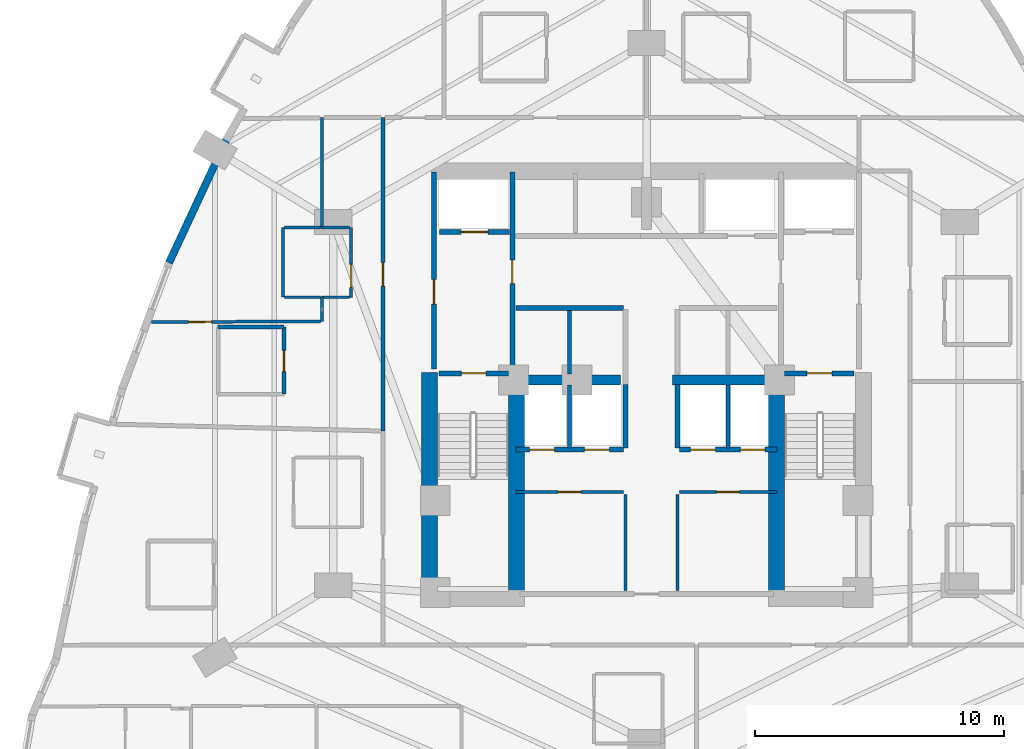
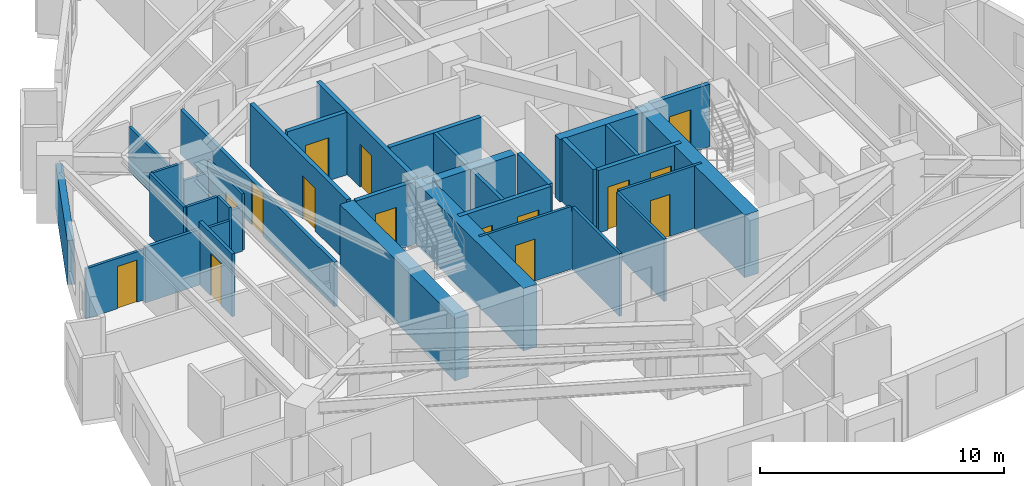
# One storey, part 10 of 15: 35 walls, 15 doors, 15 openings.
"""IFC4 building model written with IfcOpenShell, lengths in metres."""

from ifc_helpers import new_model, si_unit, direction, frame, frame_2d, origin, place, context, subcontext, project, spatial, rectangle, extrude, material, layer, layer_set, type_object, element, fill, save


model = new_model("IFC4")

# Units and contexts
model_context = context("Model", 3, precision=1e-05, world=origin(), true_north=direction((0.0, 1.0)))
body_context = subcontext(model_context, "Body", "Model", "MODEL_VIEW")
ifc_project = project(units=[si_unit("LENGTHUNIT", "METRE"), si_unit("AREAUNIT", "SQUARE_METRE"), si_unit("VOLUMEUNIT", "CUBIC_METRE"), si_unit("PLANEANGLEUNIT", "RADIAN"), si_unit("MASSUNIT", "GRAM", prefix="KILO")], contexts=[model_context])

# Site, building, storey
site_placement = place(None, origin())
site = spatial("IfcSite", under=ifc_project, at=site_placement, CompositionType="ELEMENT")
building_placement = place(site_placement, origin())
building = spatial("IfcBuilding", under=site, at=building_placement, Name="Miruveldt Soraemaru", CompositionType="ELEMENT")
storey_placement = place(building_placement, frame((0.0, 0.0, 32.60009765625)))
storey = spatial("IfcBuildingStorey", under=building, at=storey_placement, Name="L08", CompositionType="ELEMENT", Elevation=32.60009765625)

# Walls
ifc_material_1 = material(Name="Concrete C70/85 (70 MPa)", Category="concrete")
ifc_layer_1 = layer(ifc_material_1, 0.5, Name="Concrete C70/85 (70 MPa)", Category="concrete")
ifc_layer_set_1 = layer_set([ifc_layer_1], Name="Concrete C70/85 (70 MPa)")
wall_type_1 = type_object("IfcWallType", Name="WALL-BW-500", PredefinedType="SHEAR", material=ifc_layer_set_1)
for number, where, z_axis, x_axis, name in (
    (1, (38.75, 44.050048828125, 0.0), (0.0, 0.0, 1.0), (1.0, 0.0, 0.0), "L08 Core Buttress Shear Wall BW"),
    (2, (45.050048828125, 44.050048828125, 0.0), (0.0, 0.0, 1.0), (1.0, 0.0, 0.0), "L08 Core Buttress Shear Wall BE"),
):
    element("IfcWall", number, at=place(storey_placement, frame(where, z_axis=z_axis, x_axis=x_axis)), inside=storey, type_object=wall_type_1, Name=name, PredefinedType="SHEAR", context=body_context, shape_type="SweptSolid", body=[
        extrude(rectangle(XDim=4.199951171875, YDim=0.39990234375, at=frame_2d((2.10009765625, 0.0))), origin(), (0.0, 0.0, 1.0), 3.125),
    ])
ifc_material_2 = material(Name="Concrete C80/95 (80 MPa)", Category="concrete")
ifc_layer_2 = layer(ifc_material_2, 0.64990234375, Name="Concrete C80/95 (80 MPa)", Category="concrete")
ifc_layer_set_2 = layer_set([ifc_layer_2], Name="Concrete C80/95 (80 MPa)")
wall_type_2 = type_object("IfcWallType", Name="WALL-CW-650", PredefinedType="SHEAR", material=ifc_layer_set_2)
wall_1_placement = place(storey_placement, frame((35.27490234375, 34.949951171875, 0.0), z_axis=(0.0, 0.0, 1.0), x_axis=(0.0, 1.0, 0.0)))
element("IfcWall", 3, at=wall_1_placement, inside=storey, type_object=wall_type_2, Name="L08 Central Core Shear Wall W1", PredefinedType="SHEAR", context=body_context, shape_type="SweptSolid", body=[
    extrude(rectangle(XDim=9.400146484375, YDim=0.64990234375, at=frame_2d((4.7001953125, 0.0))), origin(), (0.0, 0.0, 1.0), 3.125),
])
for number, where, z_axis, x_axis, name in (
    (4, (38.77490234375, 35.39990234375, 0.0), (0.0, 0.0, 1.0), (0.0, 1.0, 0.0), "L08 Central Core Shear Wall SW-INT"),
    (5, (49.22509765625, 35.39990234375, 0.0), (0.0, 0.0, 1.0), (0.0, 1.0, 0.0), "L08 Central Core Shear Wall SE-INT"),
):
    element("IfcWall", number, at=place(storey_placement, frame(where, z_axis=z_axis, x_axis=x_axis)), inside=storey, type_object=wall_type_2, Name=name, PredefinedType="SHEAR", context=body_context, shape_type="SweptSolid", body=[
        extrude(rectangle(XDim=8.9501953125, YDim=0.64990234375, at=frame_2d((4.47509765625, 0.0))), origin(), (0.0, 0.0, 1.0), 3.125),
    ])
ifc_material_3 = material(Name="Precast concrete C45/55 (45 MPa)", Category="concrete")
ifc_layer_3 = layer(ifc_material_3, 0.300048828125, Name="Precast concrete C45/55 (45 MPa)", Category="concrete")
ifc_layer_set_3 = layer_set([ifc_layer_3], Name="Precast concrete C45/55 (45 MPa)")
wall_type_3 = type_object("IfcWallType", Name="WALL-EXT-PC300", PredefinedType="SOLIDWALL", material=ifc_layer_set_3)
wall_2_placement = place(storey_placement, frame((27.116455078125, 53.75390625, 0.0), z_axis=(0.0, 0.0, 1.0), x_axis=(-0.422309467153, -0.906451716284, 0.0)))
element("IfcWall", 6, at=wall_2_placement, inside=storey, type_object=wall_type_3, Name="L08 Precast Concrete Facade Wall 11", PredefinedType="SOLIDWALL", context=body_context, shape_type="SweptSolid", body=[
    extrude(rectangle(XDim=5.500244140625, YDim=0.300048828125, at=frame_2d((2.75, 0.0))), origin(), (0.0, 0.0, 1.0), 2.212890625),
])

# Wall, opening, door
ifc_material_4 = material(Name="Gypsum plasterboard lining", Category="gypsum")
ifc_layer_4 = layer(ifc_material_4, 0.1201171875, Name="Gypsum plasterboard lining", Category="gypsum")
ifc_layer_set_4 = layer_set([ifc_layer_4], Name="Gypsum plasterboard lining")
wall_type_4 = type_object("IfcWallType", Name="WALL-INT-P120", PredefinedType="PARTITIONING", material=ifc_layer_set_4)
wall_3_placement = place(storey_placement, frame((30.889892578125, 46.409912109375, 0.0), z_axis=(0.0, 0.0, 1.0), x_axis=(-0.999990269006, -0.004411563541, 0.0)))
wall_3 = element("IfcWall", 7, at=wall_3_placement, inside=storey, type_object=wall_type_4, Name="L08 Partition Wall 50", PredefinedType="PARTITIONING", context=body_context, shape_type="SweptSolid", body=[
    extrude(rectangle(XDim=6.806884765625, YDim=0.1201171875, at=frame_2d((3.4033203125, 0.0))), origin(), (0.0, 0.0, 1.0), 2.512939453125),
])
opening_1_placement = place(wall_3_placement, frame((4.384033203125, 0.0, 0.0)))
opening_1 = element("IfcOpeningElement", 8, at=opening_1_placement, cuts=wall_3, Name="Opening D3A", PredefinedType="OPENING", context=body_context, shape_type="SweptSolid", body=[
    extrude(rectangle(XDim=0.919921875, YDim=2.10009765625, at=frame_2d((0.4599609375, 1.050048828125))), frame((0.0, 0.070068359375, 0.0), z_axis=(0.0, -1.0, 0.0), x_axis=(1.0, 0.0, 0.0)), (0.0, 0.0, 1.0), 0.14013671875),
])
ifc_material_5 = material(Name="Anodised aluminium EN AW-6063 T6", Category="aluminium")
door_type_1 = type_object("IfcDoorType", Name="DOOR-INT-920", OperationType="NOTDEFINED", PredefinedType="DOOR", material=ifc_material_5)
door_1_placement = place(opening_1_placement, origin())
door_1 = element("IfcDoor", 9, at=door_1_placement, inside=storey, type_object=door_type_1, Name="L08 Unit 0804 BD1 Door", OperationType="SINGLE_SWING_LEFT", OverallHeight=2.10009765625, OverallWidth=0.919921875, PredefinedType="DOOR", context=body_context, shape_type="SweptSolid", body=[
    extrude(rectangle(XDim=0.919921875, YDim=2.10009765625, at=frame_2d((0.4599609375, 1.050048828125))), frame((0.0, 0.02490234375, 0.0), z_axis=(0.0, -1.0, 0.0), x_axis=(1.0, 0.0, 0.0)), (0.0, 0.0, 1.0), 0.050048828125),
])
fill(opening_1, door_1)

wall_4_placement = place(storey_placement, frame((38.75, 39.550048828125, 0.0), z_axis=(0.0, 0.0, 1.0), x_axis=(1.0, 0.0, 0.0)))
wall_4 = element("IfcWall", 10, at=wall_4_placement, inside=storey, type_object=wall_type_4, Name="L08 Core Compartment Wall CSW-N", PredefinedType="PARTITIONING", context=body_context, shape_type="SweptSolid", body=[
    extrude(rectangle(XDim=4.330078125, YDim=0.1201171875, at=frame_2d((2.1650390625, 0.0))), origin(), (0.0, 0.0, 1.0), 3.125),
])
opening_2_placement = place(wall_4_placement, frame((1.68994140625, 0.0, 0.0)))
opening_2 = element("IfcOpeningElement", 11, at=opening_2_placement, cuts=wall_4, Name="Opening D3A", PredefinedType="OPENING", context=body_context, shape_type="SweptSolid", body=[
    extrude(rectangle(XDim=0.919921875, YDim=2.10009765625, at=frame_2d((0.4599609375, 1.050048828125))), frame((0.0, 0.070068359375, 0.0), z_axis=(0.0, -1.0, 0.0), x_axis=(1.0, 0.0, 0.0)), (0.0, 0.0, 1.0), 0.14013671875),
])
door_2_placement = place(opening_2_placement, origin())
door_2 = element("IfcDoor", 12, at=door_2_placement, inside=storey, type_object=door_type_1, Name="L08 Fire Door", OperationType="SINGLE_SWING_LEFT", OverallHeight=2.10009765625, OverallWidth=0.919921875, PredefinedType="DOOR", context=body_context, shape_type="SweptSolid", body=[
    extrude(rectangle(XDim=0.919921875, YDim=2.10009765625, at=frame_2d((0.4599609375, 1.050048828125))), frame((0.0, 0.02490234375, 0.0), z_axis=(0.0, -1.0, 0.0), x_axis=(1.0, 0.0, 0.0)), (0.0, 0.0, 1.0), 0.050048828125),
])
fill(opening_2, door_2)

wall_5_placement = place(storey_placement, frame((45.320068359375, 39.550048828125, 0.0), z_axis=(0.0, 0.0, 1.0), x_axis=(1.0, 0.0, 0.0)))
wall_5 = element("IfcWall", 13, at=wall_5_placement, inside=storey, type_object=wall_type_4, Name="L08 Core Compartment Wall CSE-N", PredefinedType="PARTITIONING", context=body_context, shape_type="SweptSolid", body=[
    extrude(rectangle(XDim=3.929931640625, YDim=0.1201171875, at=frame_2d((1.96484375, 0.0))), origin(), (0.0, 0.0, 1.0), 3.125),
])
opening_3_placement = place(wall_5_placement, frame((1.489990234375, 0.0, 0.0)))
opening_3 = element("IfcOpeningElement", 14, at=opening_3_placement, cuts=wall_5, Name="Opening D3A", PredefinedType="OPENING", context=body_context, shape_type="SweptSolid", body=[
    extrude(rectangle(XDim=0.919921875, YDim=2.10009765625, at=frame_2d((0.4599609375, 1.050048828125))), frame((0.0, 0.070068359375, 0.0), z_axis=(0.0, -1.0, 0.0), x_axis=(1.0, 0.0, 0.0)), (0.0, 0.0, 1.0), 0.14013671875),
])
door_3_placement = place(opening_3_placement, origin())
door_3 = element("IfcDoor", 15, at=door_3_placement, inside=storey, type_object=door_type_1, Name="L08 Fire Door", OperationType="SINGLE_SWING_LEFT", OverallHeight=2.10009765625, OverallWidth=0.919921875, PredefinedType="DOOR", context=body_context, shape_type="SweptSolid", body=[
    extrude(rectangle(XDim=0.919921875, YDim=2.10009765625, at=frame_2d((0.4599609375, 1.050048828125))), frame((0.0, 0.02490234375, 0.0), z_axis=(0.0, -1.0, 0.0), x_axis=(1.0, 0.0, 0.0)), (0.0, 0.0, 1.0), 0.050048828125),
])
fill(opening_3, door_3)

wall_6_placement = place(storey_placement, frame((32.1220703125, 47.3798828125, 0.0), z_axis=(0.0, 0.0, 1.0), x_axis=(0.0, 1.0, 0.0)))
wall_6 = element("IfcWall", 16, at=wall_6_placement, inside=storey, type_object=wall_type_4, Name="L08 Partition Wall 45", PredefinedType="PARTITIONING", context=body_context, shape_type="SweptSolid", body=[
    extrude(rectangle(XDim=2.800048828125, YDim=0.1201171875, at=frame_2d((1.39990234375, 0.0))), origin(), (0.0, 0.0, 1.0), 2.81298828125),
])
opening_4_placement = place(wall_6_placement, frame((0.39990234375, 0.0, 0.0)))
opening_4 = element("IfcOpeningElement", 17, at=opening_4_placement, cuts=wall_6, Name="Opening D3A", PredefinedType="OPENING", context=body_context, shape_type="SweptSolid", body=[
    extrude(rectangle(XDim=0.919921875, YDim=2.10009765625, at=frame_2d((0.4599609375, 1.050048828125))), frame((0.0, 0.070068359375, 0.0), z_axis=(0.0, -1.0, 0.0), x_axis=(1.0, 0.0, 0.0)), (0.0, 0.0, 1.0), 0.14013671875),
])
door_4_placement = place(opening_4_placement, origin())
door_4 = element("IfcDoor", 18, at=door_4_placement, inside=storey, type_object=door_type_1, Name="L08 Unit 0804 KIT Door", OperationType="SINGLE_SWING_RIGHT", OverallHeight=2.10009765625, OverallWidth=0.919921875, PredefinedType="DOOR", context=body_context, shape_type="SweptSolid", body=[
    extrude(rectangle(XDim=0.919921875, YDim=2.10009765625, at=frame_2d((0.4599609375, 1.050048828125))), frame((0.0, 0.02490234375, 0.0), z_axis=(0.0, -1.0, 0.0), x_axis=(1.0, 0.0, 0.0)), (0.0, 0.0, 1.0), 0.050048828125),
])
fill(opening_4, door_4)

# Walls
wall_7_placement = place(storey_placement, frame((30.949951171875, 54.60009765625, 0.0), z_axis=(0.0, 0.0, 1.0), x_axis=(0.0, -1.0, 0.0)))
element("IfcWall", 19, at=wall_7_placement, inside=storey, type_object=wall_type_4, Name="L08 Partition Wall 48", PredefinedType="PARTITIONING", context=body_context, shape_type="SweptSolid", body=[
    extrude(rectangle(XDim=4.420166015625, YDim=0.1201171875, at=frame_2d((2.2099609375, 0.0))), origin(), (0.0, 0.0, 1.0), 2.219970703125),
])
for number, where, z_axis, x_axis, name in (
    (20, (43.14990234375, 35.580078125, 0.0), (0.0, 0.0, 1.0), (0.0, 1.0, 0.0), "L08 Core Compartment Wall SP-WS"),
    (21, (45.25, 35.580078125, 0.0), (0.0, 0.0, 1.0), (0.0, 1.0, 0.0), "L08 Core Compartment Wall SP-ES"),
):
    element("IfcWall", number, at=place(storey_placement, frame(where, z_axis=z_axis, x_axis=x_axis)), inside=storey, type_object=wall_type_4, Name=name, PredefinedType="PARTITIONING", context=body_context, shape_type="SweptSolid", body=[
        extrude(rectangle(XDim=3.869873046875, YDim=0.1201171875, at=frame_2d((1.93505859375, 0.0))), origin(), (0.0, 0.0, 1.0), 3.125),
    ])
wall_8_placement = place(storey_placement, frame((29.3720703125, 50.179931640625, 0.0), z_axis=(0.0, 0.0, 1.0), x_axis=(0.0, -1.0, 0.0)))
element("IfcWall", 22, at=wall_8_placement, inside=storey, type_object=wall_type_4, Name="L08 Partition Wall 53", PredefinedType="PARTITIONING", context=body_context, shape_type="SweptSolid", body=[
    extrude(rectangle(XDim=2.800048828125, YDim=0.1201171875, at=frame_2d((1.39990234375, 0.0))), origin(), (0.0, 0.0, 1.0), 3.125),
])
for number, where, z_axis, x_axis, name in (
    (23, (30.889892578125, 50.179931640625, 0.0), (0.0, 0.0, 1.0), (-1.0, 0.0, 0.0), "L08 Partition Wall 52"),
    (24, (29.431884765625, 47.3798828125, 0.0), (0.0, 0.0, 1.0), (1.0, 0.0, 0.0), "L08 Partition Wall 54"),
):
    element("IfcWall", number, at=place(storey_placement, frame(where, z_axis=z_axis, x_axis=x_axis)), inside=storey, type_object=wall_type_4, Name=name, PredefinedType="PARTITIONING", context=body_context, shape_type="SweptSolid", body=[
        extrude(rectangle(XDim=1.4580078125, YDim=0.1201171875, at=frame_2d((0.72900390625, 0.0))), origin(), (0.0, 0.0, 1.0), 3.125),
    ])
for number, where, z_axis, x_axis, name in (
    (25, (32.06201171875, 50.179931640625, 0.0), (0.0, 0.0, 1.0), (-1.0, 0.0, 0.0), "L08 Partition Wall 46"),
    (26, (30.919921875, 47.3798828125, 0.0), (0.0, 0.0, 1.0), (1.0, 0.0, 0.0), "L08 Partition Wall 47"),
):
    element("IfcWall", number, at=place(storey_placement, frame(where, z_axis=z_axis, x_axis=x_axis)), inside=storey, type_object=wall_type_4, Name=name, PredefinedType="PARTITIONING", context=body_context, shape_type="SweptSolid", body=[
        extrude(rectangle(XDim=1.14208984375, YDim=0.1201171875, at=frame_2d((0.571044921875, 0.0))), origin(), (0.0, 0.0, 1.0), 2.219970703125),
    ])
wall_9_placement = place(storey_placement, frame((30.949951171875, 47.3798828125, 0.0), z_axis=(0.0, 0.0, 1.0), x_axis=(0.0, -1.0, 0.0)))
element("IfcWall", 27, at=wall_9_placement, inside=storey, type_object=wall_type_4, Name="L08 Partition Wall 49", PredefinedType="PARTITIONING", context=body_context, shape_type="SweptSolid", body=[
    extrude(rectangle(XDim=0.969970703125, YDim=0.1201171875, at=frame_2d((0.48486328125, 0.0))), origin(), (0.0, 0.0, 1.0), 3.125),
])

# Wall, opening, door
ifc_layer_5 = layer(ifc_material_4, 0.14990234375, Name="Gypsum plasterboard lining", Category="gypsum")
ifc_layer_set_5 = layer_set([ifc_layer_5], Name="Gypsum plasterboard lining")
wall_type_5 = type_object("IfcWallType", Name="WALL-INT-PLUMB", PredefinedType="PLUMBINGWALL", material=ifc_layer_set_5)
wall_10_placement = place(storey_placement, frame((29.422119140625, 43.47998046875, 0.0), z_axis=(0.0, 0.0, 1.0), x_axis=(0.0, 1.0, 0.0)))
wall_10 = element("IfcWall", 28, at=wall_10_placement, inside=storey, type_object=wall_type_5, Name="L08 Partition Wall 41", PredefinedType="PLUMBINGWALL", context=body_context, shape_type="SweptSolid", body=[
    extrude(rectangle(XDim=2.699951171875, YDim=0.14990234375, at=frame_2d((1.35009765625, 0.0))), origin(), (0.0, 0.0, 1.0), 3.125),
])
opening_5_placement = place(wall_10_placement, frame((0.909912109375, 0.0, 0.0)))
opening_5 = element("IfcOpeningElement", 29, at=opening_5_placement, cuts=wall_10, Name="Opening FD3", PredefinedType="OPENING", context=body_context, shape_type="SweptSolid", body=[
    extrude(rectangle(XDim=0.85009765625, YDim=2.10009765625, at=frame_2d((0.425048828125, 1.050048828125))), frame((0.0, 0.0849609375, 0.0), z_axis=(0.0, -1.0, 0.0), x_axis=(1.0, 0.0, 0.0)), (0.0, 0.0, 1.0), 0.169921875),
])
door_type_2 = type_object("IfcDoorType", Name="DOOR-FD3-850", OperationType="NOTDEFINED", PredefinedType="DOOR", material=ifc_material_5)
door_5_placement = place(opening_5_placement, origin())
door_5 = element("IfcDoor", 30, at=door_5_placement, inside=storey, type_object=door_type_2, Name="L08 Unit 0804 BTH Door", OperationType="SINGLE_SWING_LEFT", OverallHeight=2.10009765625, OverallWidth=0.85009765625, PredefinedType="DOOR", context=body_context, shape_type="SweptSolid", body=[
    extrude(rectangle(XDim=0.85009765625, YDim=2.10009765625, at=frame_2d((0.425048828125, 1.050048828125))), frame((0.0, 0.02490234375, 0.0), z_axis=(0.0, -1.0, 0.0), x_axis=(1.0, 0.0, 0.0)), (0.0, 0.0, 1.0), 0.050048828125),
])
fill(opening_5, door_5)

# Wall
wall_11_placement = place(storey_placement, frame((29.422119140625, 46.179931640625, 0.0), z_axis=(0.0, 0.0, 1.0), x_axis=(-1.0, 0.0, 0.0)))
element("IfcWall", 31, at=wall_11_placement, inside=storey, type_object=wall_type_5, Name="L08 Partition Wall 42", PredefinedType="PLUMBINGWALL", context=body_context, shape_type="SweptSolid", body=[
    extrude(rectangle(XDim=2.650146484375, YDim=0.14990234375, at=frame_2d((1.3251953125, 0.0))), origin(), (0.0, 0.0, 1.0), 2.762939453125),
])

# Wall, opening, door
ifc_material_6 = material(Name="Concrete C40/50 (40 MPa)", Category="concrete")
ifc_layer_6 = layer(ifc_material_6, 0.159912109375, Name="Concrete C40/50 (40 MPa)", Category="concrete")
ifc_layer_set_6 = layer_set([ifc_layer_6], Name="Concrete C40/50 (40 MPa)")
wall_type_6 = type_object("IfcWallType", Name="WALL-INT-RC160", PredefinedType="SOLIDWALL", material=ifc_layer_set_6)
wall_12_placement = place(storey_placement, frame((33.39990234375, 54.60009765625, 0.0), z_axis=(0.0, 0.0, 1.0), x_axis=(0.0, -1.0, 0.0)))
wall_12 = element("IfcWall", 32, at=wall_12_placement, inside=storey, type_object=wall_type_6, Name="L08 Partition Wall 4", PredefinedType="SOLIDWALL", context=body_context, shape_type="SweptSolid", body=[
    extrude(rectangle(XDim=12.60009765625, YDim=0.159912109375, at=frame_2d((6.300048828125, 0.0))), origin(), (0.0, 0.0, 1.0), 2.219970703125),
])
opening_6_placement = place(wall_12_placement, frame((5.824951171875, 0.0, 0.0)))
opening_6 = element("IfcOpeningElement", 33, at=opening_6_placement, cuts=wall_12, Name="Opening FD2", PredefinedType="OPENING", context=body_context, shape_type="SweptSolid", body=[
    extrude(rectangle(XDim=0.949951171875, YDim=2.14990234375, at=frame_2d((0.47509765625, 1.074951171875))), frame((0.0, 0.08984375, 0.0), z_axis=(0.0, -1.0, 0.0), x_axis=(1.0, 0.0, 0.0)), (0.0, 0.0, 1.0), 0.179931640625),
])
door_type_3 = type_object("IfcDoorType", Name="DOOR-FD2-950", OperationType="NOTDEFINED", PredefinedType="DOOR", material=ifc_material_5)
door_6_placement = place(opening_6_placement, origin())
door_6 = element("IfcDoor", 34, at=door_6_placement, inside=storey, type_object=door_type_3, Name="L08 Unit 0804 Entrance Fire Door", OperationType="SINGLE_SWING_RIGHT", OverallHeight=2.14990234375, OverallWidth=0.949951171875, PredefinedType="DOOR", context=body_context, shape_type="SweptSolid", body=[
    extrude(rectangle(XDim=0.949951171875, YDim=2.14990234375, at=frame_2d((0.47509765625, 1.074951171875))), frame((0.0, 0.02490234375, 0.0), z_axis=(0.0, -1.0, 0.0), x_axis=(1.0, 0.0, 0.0)), (0.0, 0.0, 1.0), 0.050048828125),
])
fill(opening_6, door_6)

# Walls
wall_13_placement = place(storey_placement, frame((40.89990234375, 44.300048828125, 0.0), z_axis=(0.0, 0.0, 1.0), x_axis=(0.0, 1.0, 0.0)))
element("IfcWall", 35, at=wall_13_placement, inside=storey, type_object=wall_type_6, Name="L08 Core Compartment Wall PLM-DW", PredefinedType="SOLIDWALL", context=body_context, shape_type="SweptSolid", body=[
    extrude(rectangle(XDim=2.550048828125, YDim=0.159912109375, at=frame_2d((1.27490234375, 0.0))), origin(), (0.0, 0.0, 1.0), 3.125),
])
for number, where, z_axis, x_axis, name in (
    (36, (40.89990234375, 41.320068359375, 0.0), (0.0, 0.0, 1.0), (0.0, 1.0, 0.0), "L08 Core Compartment Wall PLL-DW"),
    (37, (47.280029296875, 41.320068359375, 0.0), (0.0, 0.0, 1.0), (0.0, 1.0, 0.0), "L08 Core Compartment Wall PLL-DE"),
):
    element("IfcWall", number, at=place(storey_placement, frame(where, z_axis=z_axis, x_axis=x_axis)), inside=storey, type_object=wall_type_6, Name=name, PredefinedType="SOLIDWALL", context=body_context, shape_type="SweptSolid", body=[
        extrude(rectangle(XDim=2.530029296875, YDim=0.159912109375, at=frame_2d((1.26513671875, 0.0))), origin(), (0.0, 0.0, 1.0), 3.125),
    ])

# Wall, opening, door
ifc_layer_7 = layer(ifc_material_6, 0.199951171875, Name="Concrete C40/50 (40 MPa)", Category="concrete")
ifc_layer_set_7 = layer_set([ifc_layer_7], Name="Concrete C40/50 (40 MPa)")
wall_type_7 = type_object("IfcWallType", Name="WALL-INT-RC200", PredefinedType="SOLIDWALL", material=ifc_layer_set_7)
wall_14_placement = place(storey_placement, frame((35.449951171875, 44.5, 0.0), z_axis=(0.0, 0.0, 1.0), x_axis=(0.0, 1.0, 0.0)))
wall_14 = element("IfcWall", 38, at=wall_14_placement, inside=storey, type_object=wall_type_7, Name="L08 Core Compartment Wall FFW-OUT", PredefinedType="SOLIDWALL", context=body_context, shape_type="SweptSolid", body=[
    extrude(rectangle(XDim=7.919921875, YDim=0.199951171875, at=frame_2d((3.9599609375, 0.0))), origin(), (0.0, 0.0, 1.0), 3.125),
])
opening_7_placement = place(wall_14_placement, frame((2.60009765625, 0.0, 0.0)))
opening_7 = element("IfcOpeningElement", 39, at=opening_7_placement, cuts=wall_14, Name="Opening FD1", PredefinedType="OPENING", context=body_context, shape_type="SweptSolid", body=[
    extrude(rectangle(XDim=1.0, YDim=2.14990234375, at=frame_2d((0.5, 1.074951171875))), frame((0.0, 0.10986328125, 0.0), z_axis=(0.0, -1.0, 0.0), x_axis=(1.0, 0.0, 0.0)), (0.0, 0.0, 1.0), 0.219970703125),
])
door_type_4 = type_object("IfcDoorType", Name="DOOR-FD1-1000", OperationType="NOTDEFINED", PredefinedType="DOOR", material=ifc_material_5)
door_7_placement = place(opening_7_placement, origin())
door_7 = element("IfcDoor", 40, at=door_7_placement, inside=storey, type_object=door_type_4, Name="L08 West Firefighting Lobby Exit Door", OperationType="SINGLE_SWING_LEFT", OverallHeight=2.14990234375, OverallWidth=1.0, PredefinedType="DOOR", context=body_context, shape_type="SweptSolid", body=[
    extrude(rectangle(XDim=1.0, YDim=2.14990234375, at=frame_2d((0.5, 1.074951171875))), frame((0.0, 0.02490234375, 0.0), z_axis=(0.0, -1.0, 0.0), x_axis=(1.0, 0.0, 0.0)), (0.0, 0.0, 1.0), 0.050048828125),
])
fill(opening_7, door_7)

wall_15_placement = place(storey_placement, frame((38.60009765625, 44.5, 0.0), z_axis=(0.0, 0.0, 1.0), x_axis=(0.0, 1.0, 0.0)))
wall_15 = element("IfcWall", 41, at=wall_15_placement, inside=storey, type_object=wall_type_7, Name="L08 Core Compartment Wall FFW-IN", PredefinedType="SOLIDWALL", context=body_context, shape_type="SweptSolid", body=[
    extrude(rectangle(XDim=7.919921875, YDim=0.199951171875, at=frame_2d((3.9599609375, 0.0))), origin(), (0.0, 0.0, 1.0), 3.125),
])
opening_8_placement = place(wall_15_placement, frame((3.425048828125, 0.0, 0.0)))
opening_8 = element("IfcOpeningElement", 42, at=opening_8_placement, cuts=wall_15, Name="Opening FD2", PredefinedType="OPENING", context=body_context, shape_type="SweptSolid", body=[
    extrude(rectangle(XDim=0.949951171875, YDim=2.14990234375, at=frame_2d((0.47509765625, 1.074951171875))), frame((0.0, 0.10986328125, 0.0), z_axis=(0.0, -1.0, 0.0), x_axis=(1.0, 0.0, 0.0)), (0.0, 0.0, 1.0), 0.219970703125),
])
door_8_placement = place(opening_8_placement, frame((0.949951171875, 0.0, 0.0), z_axis=(0.0, 0.0, 1.0), x_axis=(-1.0, 0.0, 0.0)))
door_8 = element("IfcDoor", 43, at=door_8_placement, inside=storey, type_object=door_type_3, Name="L08 Lift Lobby to West Fire Lobby Door", OperationType="SINGLE_SWING_RIGHT", OverallHeight=2.14990234375, OverallWidth=0.949951171875, PredefinedType="DOOR", context=body_context, shape_type="SweptSolid", body=[
    extrude(rectangle(XDim=0.949951171875, YDim=2.14990234375, at=frame_2d((0.47509765625, 1.074951171875))), frame((0.0, 0.02490234375, 0.0), z_axis=(0.0, -1.0, 0.0), x_axis=(1.0, 0.0, 0.0)), (0.0, 0.0, 1.0), 0.050048828125),
])
fill(opening_8, door_8)

# Wall, openings, doors
wall_16_placement = place(storey_placement, frame((38.75, 41.25, 0.0), z_axis=(0.0, 0.0, 1.0), x_axis=(1.0, 0.0, 0.0)))
wall_16 = element("IfcWall", 44, at=wall_16_placement, inside=storey, type_object=wall_type_7, Name="L08 Core Compartment Wall LBW-S", PredefinedType="SOLIDWALL", context=body_context, shape_type="SweptSolid", body=[
    extrude(rectangle(XDim=4.330078125, YDim=0.199951171875, at=frame_2d((2.1650390625, 0.0))), origin(), (0.0, 0.0, 1.0), 3.125),
])
opening_9_placement = place(wall_16_placement, frame((0.550048828125, 0.0, 0.0)))
opening_9 = element("IfcOpeningElement", 45, at=opening_9_placement, cuts=wall_16, Name="Opening LD1B", PredefinedType="OPENING", context=body_context, shape_type="SweptSolid", body=[
    extrude(rectangle(XDim=1.0, YDim=2.14990234375, at=frame_2d((0.5, 1.074951171875))), frame((0.0, 0.10986328125, 0.0), z_axis=(0.0, -1.0, 0.0), x_axis=(1.0, 0.0, 0.0)), (0.0, 0.0, 1.0), 0.219970703125),
])
opening_10_placement = place(wall_16_placement, frame((2.75, 0.0, 0.0)))
opening_10 = element("IfcOpeningElement", 46, at=opening_10_placement, cuts=wall_16, Name="Opening LD1B", PredefinedType="OPENING", context=body_context, shape_type="SweptSolid", body=[
    extrude(rectangle(XDim=1.0, YDim=2.14990234375, at=frame_2d((0.5, 1.074951171875))), frame((0.0, 0.10986328125, 0.0), z_axis=(0.0, -1.0, 0.0), x_axis=(1.0, 0.0, 0.0)), (0.0, 0.0, 1.0), 0.219970703125),
])
door_type_5 = type_object("IfcDoorType", Name="DOOR-LD1-1000", OperationType="SLIDING_TO_LEFT", PredefinedType="DOOR", material=ifc_material_5)
door_9_placement = place(opening_9_placement, frame((1.0, 0.0, 0.0), z_axis=(0.0, 0.0, 1.0), x_axis=(-1.0, 0.0, 0.0)))
door_9 = element("IfcDoor", 47, at=door_9_placement, inside=storey, type_object=door_type_5, Name="L08 PL-L1 Landing Door", OperationType="SLIDING_TO_LEFT", OverallHeight=2.14990234375, OverallWidth=1.0, PredefinedType="DOOR", context=body_context, shape_type="SweptSolid", body=[
    extrude(rectangle(XDim=1.0, YDim=2.14990234375, at=frame_2d((0.5, 1.074951171875))), frame((0.0, 0.02490234375, 0.0), z_axis=(0.0, -1.0, 0.0), x_axis=(1.0, 0.0, 0.0)), (0.0, 0.0, 1.0), 0.050048828125),
])
fill(opening_9, door_9)
door_10_placement = place(opening_10_placement, frame((1.0, 0.0, 0.0), z_axis=(0.0, 0.0, 1.0), x_axis=(-1.0, 0.0, 0.0)))
door_10 = element("IfcDoor", 48, at=door_10_placement, inside=storey, type_object=door_type_5, Name="L08 PL-L2 Landing Door", OperationType="SLIDING_TO_LEFT", OverallHeight=2.14990234375, OverallWidth=1.0, PredefinedType="DOOR", context=body_context, shape_type="SweptSolid", body=[
    extrude(rectangle(XDim=1.0, YDim=2.14990234375, at=frame_2d((0.5, 1.074951171875))), frame((0.0, 0.02490234375, 0.0), z_axis=(0.0, -1.0, 0.0), x_axis=(1.0, 0.0, 0.0)), (0.0, 0.0, 1.0), 0.050048828125),
])
fill(opening_10, door_10)

wall_17_placement = place(storey_placement, frame((45.320068359375, 41.25, 0.0), z_axis=(0.0, 0.0, 1.0), x_axis=(1.0, 0.0, 0.0)))
wall_17 = element("IfcWall", 49, at=wall_17_placement, inside=storey, type_object=wall_type_7, Name="L08 Core Compartment Wall LBE-S", PredefinedType="SOLIDWALL", context=body_context, shape_type="SweptSolid", body=[
    extrude(rectangle(XDim=3.929931640625, YDim=0.199951171875, at=frame_2d((1.96484375, 0.0))), origin(), (0.0, 0.0, 1.0), 3.125),
])
opening_11_placement = place(wall_17_placement, frame((0.449951171875, 0.0, 0.0)))
opening_11 = element("IfcOpeningElement", 50, at=opening_11_placement, cuts=wall_17, Name="Opening LD1B", PredefinedType="OPENING", context=body_context, shape_type="SweptSolid", body=[
    extrude(rectangle(XDim=1.0, YDim=2.14990234375, at=frame_2d((0.5, 1.074951171875))), frame((0.0, 0.10986328125, 0.0), z_axis=(0.0, -1.0, 0.0), x_axis=(1.0, 0.0, 0.0)), (0.0, 0.0, 1.0), 0.219970703125),
])
opening_12_placement = place(wall_17_placement, frame((2.449951171875, 0.0, 0.0)))
opening_12 = element("IfcOpeningElement", 51, at=opening_12_placement, cuts=wall_17, Name="Opening LD1B", PredefinedType="OPENING", context=body_context, shape_type="SweptSolid", body=[
    extrude(rectangle(XDim=1.0, YDim=2.14990234375, at=frame_2d((0.5, 1.074951171875))), frame((0.0, 0.10986328125, 0.0), z_axis=(0.0, -1.0, 0.0), x_axis=(1.0, 0.0, 0.0)), (0.0, 0.0, 1.0), 0.219970703125),
])
door_11_placement = place(opening_11_placement, frame((1.0, 0.0, 0.0), z_axis=(0.0, 0.0, 1.0), x_axis=(-1.0, 0.0, 0.0)))
door_11 = element("IfcDoor", 52, at=door_11_placement, inside=storey, type_object=door_type_5, Name="L08 PL-L3 Landing Door", OperationType="SLIDING_TO_LEFT", OverallHeight=2.14990234375, OverallWidth=1.0, PredefinedType="DOOR", context=body_context, shape_type="SweptSolid", body=[
    extrude(rectangle(XDim=1.0, YDim=2.14990234375, at=frame_2d((0.5, 1.074951171875))), frame((0.0, 0.02490234375, 0.0), z_axis=(0.0, -1.0, 0.0), x_axis=(1.0, 0.0, 0.0)), (0.0, 0.0, 1.0), 0.050048828125),
])
fill(opening_11, door_11)
door_12_placement = place(opening_12_placement, frame((1.0, 0.0, 0.0), z_axis=(0.0, 0.0, 1.0), x_axis=(-1.0, 0.0, 0.0)))
door_12 = element("IfcDoor", 53, at=door_12_placement, inside=storey, type_object=door_type_5, Name="L08 PL-L4 Landing Door", OperationType="SLIDING_TO_LEFT", OverallHeight=2.14990234375, OverallWidth=1.0, PredefinedType="DOOR", context=body_context, shape_type="SweptSolid", body=[
    extrude(rectangle(XDim=1.0, YDim=2.14990234375, at=frame_2d((0.5, 1.074951171875))), frame((0.0, 0.02490234375, 0.0), z_axis=(0.0, -1.0, 0.0), x_axis=(1.0, 0.0, 0.0)), (0.0, 0.0, 1.0), 0.050048828125),
])
fill(opening_12, door_12)

# Wall, opening, door
wall_18_placement = place(storey_placement, frame((35.64990234375, 44.320068359375, 0.0), z_axis=(0.0, 0.0, 1.0), x_axis=(1.0, 0.0, 0.0)))
wall_18 = element("IfcWall", 54, at=wall_18_placement, inside=storey, type_object=wall_type_7, Name="L08 Core Compartment Wall ST1-N", PredefinedType="SOLIDWALL", context=body_context, shape_type="SweptSolid", body=[
    extrude(rectangle(XDim=2.800048828125, YDim=0.199951171875, at=frame_2d((1.39990234375, 0.0))), origin(), (0.0, 0.0, 1.0), 3.125),
])
opening_13_placement = place(wall_18_placement, frame((0.89990234375, 0.0, 0.0)))
opening_13 = element("IfcOpeningElement", 55, at=opening_13_placement, cuts=wall_18, Name="Opening FD1", PredefinedType="OPENING", context=body_context, shape_type="SweptSolid", body=[
    extrude(rectangle(XDim=1.0, YDim=2.14990234375, at=frame_2d((0.5, 1.074951171875))), frame((0.0, 0.10986328125, 0.0), z_axis=(0.0, -1.0, 0.0), x_axis=(1.0, 0.0, 0.0)), (0.0, 0.0, 1.0), 0.219970703125),
])
door_13_placement = place(opening_13_placement, frame((1.0, 0.0, 0.0), z_axis=(0.0, 0.0, 1.0), x_axis=(-1.0, 0.0, 0.0)))
door_13 = element("IfcDoor", 56, at=door_13_placement, inside=storey, type_object=door_type_4, Name="L08 Stair ST-1 Fire Door", OperationType="SINGLE_SWING_LEFT", OverallHeight=2.14990234375, OverallWidth=1.0, PredefinedType="DOOR", context=body_context, shape_type="SweptSolid", body=[
    extrude(rectangle(XDim=1.0, YDim=2.14990234375, at=frame_2d((0.5, 1.074951171875))), frame((0.0, 0.02490234375, 0.0), z_axis=(0.0, -1.0, 0.0), x_axis=(1.0, 0.0, 0.0)), (0.0, 0.0, 1.0), 0.050048828125),
])
fill(opening_13, door_13)

wall_19_placement = place(storey_placement, frame((49.550048828125, 44.320068359375, 0.0), z_axis=(0.0, 0.0, 1.0), x_axis=(1.0, 0.0, 0.0)))
wall_19 = element("IfcWall", 57, at=wall_19_placement, inside=storey, type_object=wall_type_7, Name="L08 Core Compartment Wall ST2-N", PredefinedType="SOLIDWALL", context=body_context, shape_type="SweptSolid", body=[
    extrude(rectangle(XDim=2.800048828125, YDim=0.199951171875, at=frame_2d((1.39990234375, 0.0))), origin(), (0.0, 0.0, 1.0), 3.125),
])
opening_14_placement = place(wall_19_placement, frame((0.89990234375, 0.0, 0.0)))
opening_14 = element("IfcOpeningElement", 58, at=opening_14_placement, cuts=wall_19, Name="Opening FD1", PredefinedType="OPENING", context=body_context, shape_type="SweptSolid", body=[
    extrude(rectangle(XDim=1.0, YDim=2.14990234375, at=frame_2d((0.5, 1.074951171875))), frame((0.0, 0.10986328125, 0.0), z_axis=(0.0, -1.0, 0.0), x_axis=(1.0, 0.0, 0.0)), (0.0, 0.0, 1.0), 0.219970703125),
])
door_14_placement = place(opening_14_placement, frame((1.0, 0.0, 0.0), z_axis=(0.0, 0.0, 1.0), x_axis=(-1.0, 0.0, 0.0)))
door_14 = element("IfcDoor", 59, at=door_14_placement, inside=storey, type_object=door_type_4, Name="L08 Stair ST-2 Fire Door", OperationType="SINGLE_SWING_RIGHT", OverallHeight=2.14990234375, OverallWidth=1.0, PredefinedType="DOOR", context=body_context, shape_type="SweptSolid", body=[
    extrude(rectangle(XDim=1.0, YDim=2.14990234375, at=frame_2d((0.5, 1.074951171875))), frame((0.0, 0.02490234375, 0.0), z_axis=(0.0, -1.0, 0.0), x_axis=(1.0, 0.0, 0.0)), (0.0, 0.0, 1.0), 0.050048828125),
])
fill(opening_14, door_14)

wall_20_placement = place(storey_placement, frame((35.679931640625, 50.0, 0.0), z_axis=(0.0, 0.0, 1.0), x_axis=(1.0, 0.0, 0.0)))
wall_20 = element("IfcWall", 60, at=wall_20_placement, inside=storey, type_object=wall_type_7, Name="L08 Core Compartment Wall FFL1-S", PredefinedType="SOLIDWALL", context=body_context, shape_type="SweptSolid", body=[
    extrude(rectangle(XDim=2.800048828125, YDim=0.199951171875, at=frame_2d((1.39990234375, 0.0))), origin(), (0.0, 0.0, 1.0), 3.125),
])
opening_15_placement = place(wall_20_placement, frame((0.85009765625, 0.0, 0.0)))
opening_15 = element("IfcOpeningElement", 61, at=opening_15_placement, cuts=wall_20, Name="Opening LD2", PredefinedType="OPENING", context=body_context, shape_type="SweptSolid", body=[
    extrude(rectangle(XDim=1.10009765625, YDim=2.14990234375, at=frame_2d((0.550048828125, 1.074951171875))), frame((0.0, 0.10986328125, 0.0), z_axis=(0.0, -1.0, 0.0), x_axis=(1.0, 0.0, 0.0)), (0.0, 0.0, 1.0), 0.219970703125),
])
door_type_6 = type_object("IfcDoorType", Name="DOOR-LD2-1100", OperationType="SLIDING_TO_LEFT", PredefinedType="DOOR", material=ifc_material_5)
door_15_placement = place(opening_15_placement, origin())
door_15 = element("IfcDoor", 62, at=door_15_placement, inside=storey, type_object=door_type_6, Name="L08 FFL-1 Landing Door", OperationType="SLIDING_TO_LEFT", OverallHeight=2.14990234375, OverallWidth=1.10009765625, PredefinedType="DOOR", context=body_context, shape_type="SweptSolid", body=[
    extrude(rectangle(XDim=1.10009765625, YDim=2.14990234375, at=frame_2d((0.550048828125, 1.074951171875))), frame((0.0, 0.02490234375, 0.0), z_axis=(0.0, -1.0, 0.0), x_axis=(1.0, 0.0, 0.0)), (0.0, 0.0, 1.0), 0.050048828125),
])
fill(opening_15, door_15)

# Walls
wall_21_placement = place(storey_placement, frame((38.75, 46.949951171875, 0.0), z_axis=(0.0, 0.0, 1.0), x_axis=(1.0, 0.0, 0.0)))
element("IfcWall", 63, at=wall_21_placement, inside=storey, type_object=wall_type_7, Name="L08 Core Compartment Wall MBW-N", PredefinedType="SOLIDWALL", context=body_context, shape_type="SweptSolid", body=[
    extrude(rectangle(XDim=4.330078125, YDim=0.199951171875, at=frame_2d((2.1650390625, 0.0))), origin(), (0.0, 0.0, 1.0), 3.125),
])
for number, where, z_axis, x_axis, name in (
    (64, (43.14990234375, 41.320068359375, 0.0), (0.0, 0.0, 1.0), (0.0, 1.0, 0.0), "L08 Core Compartment Wall SP-WC"),
    (65, (45.25, 41.320068359375, 0.0), (0.0, 0.0, 1.0), (0.0, 1.0, 0.0), "L08 Core Compartment Wall SP-EC"),
):
    element("IfcWall", number, at=place(storey_placement, frame(where, z_axis=z_axis, x_axis=x_axis)), inside=storey, type_object=wall_type_7, Name=name, PredefinedType="SOLIDWALL", context=body_context, shape_type="SweptSolid", body=[
        extrude(rectangle(XDim=2.559814453125, YDim=0.199951171875, at=frame_2d((1.27978515625, 0.0))), origin(), (0.0, 0.0, 1.0), 3.125),
    ])

save(model, "model.ifc")
